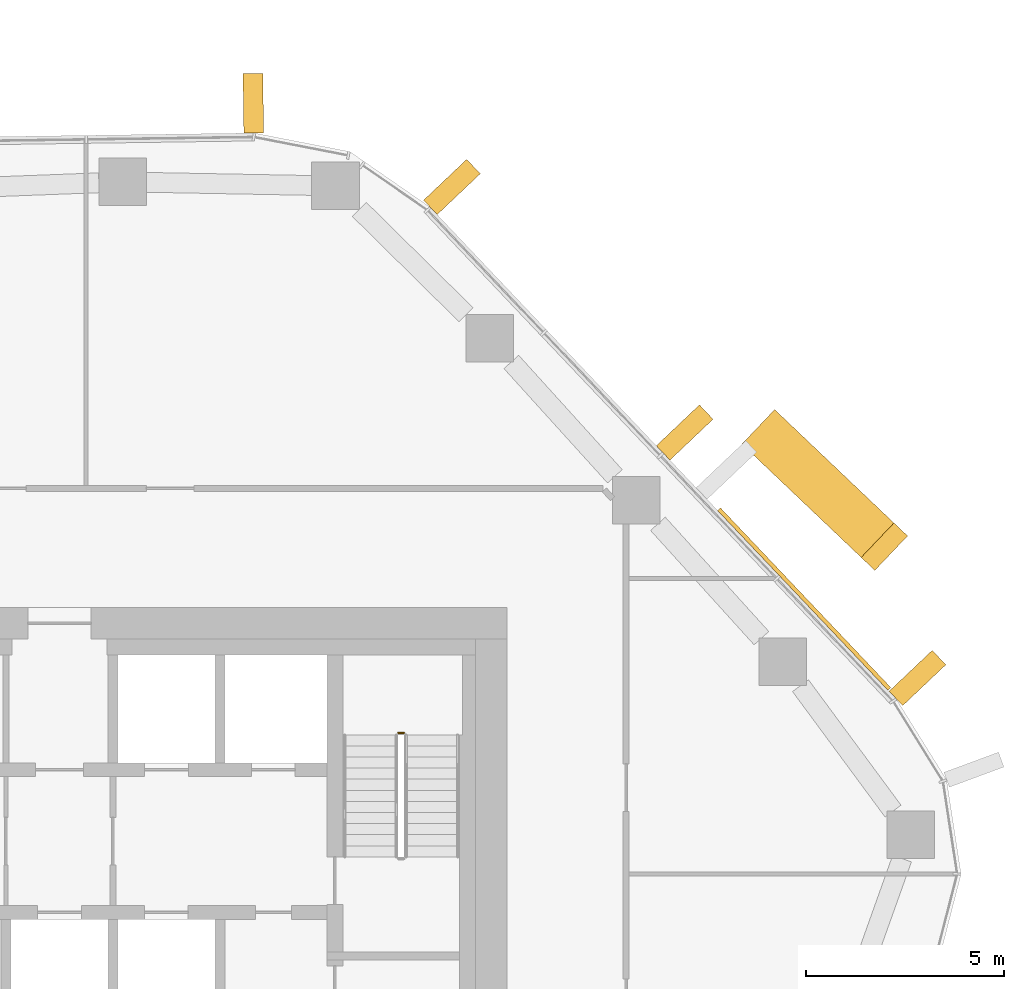
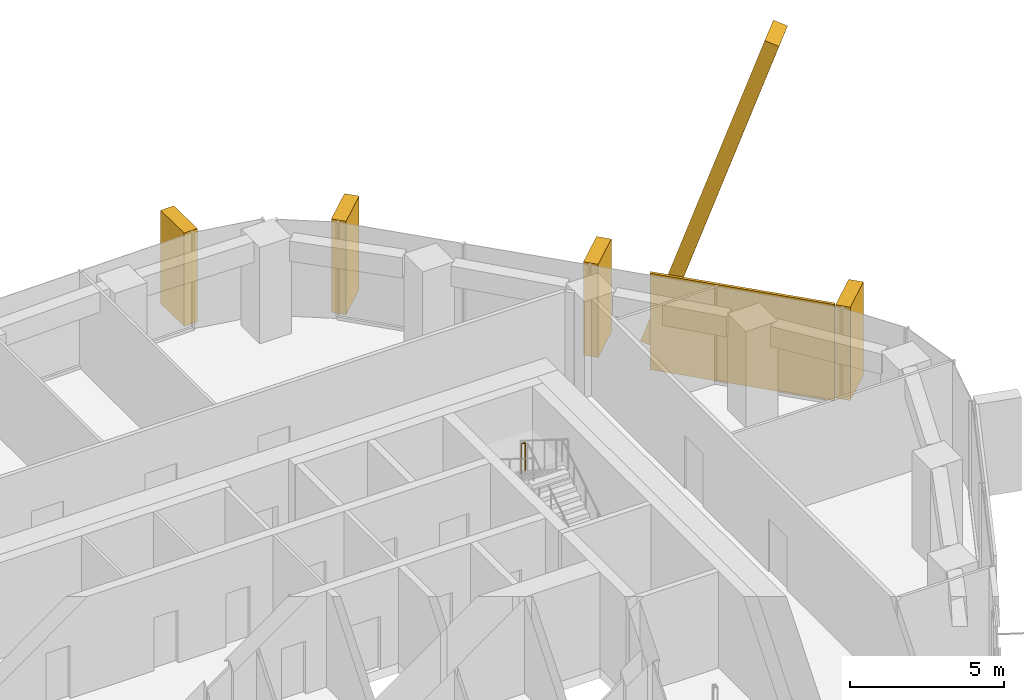
# One storey, part 18 of 18: 6 coverings, 1 railing, 2 elements without a shape of their own.
"""IFC4 building model written with IfcOpenShell, lengths in metres."""

import ifcopenshell
import ifcopenshell.guid

model = None  # the IFC model being written
_history = None  # IfcOwnerHistory: only IFC2X3 demands one
_inside = {}  # id of a spatial element -> (the spatial element, [elements in it])
_under = {}  # id of a project, library or spatial element -> (it, [spatial elements below it])
_declared = {}  # id of a project -> (the project, [libraries it declares])
_typed = {}  # id of a type object -> (the type object, [elements of that type])
_made_of = {}  # id of a material, layer set ... -> (it, [elements and type objects made of it])


def new_model(schema):
    """Start an empty IFC model of exactly this schema.

    Asked for "IFC4X3", IfcOpenShell would pick the latest addendum, in which some entities
    have other attributes; the version numbers below select the first issue.
    IFC2X3 requires an IfcOwnerHistory on every rooted entity: one is made here for all.
    """
    global model, _history
    if schema == "IFC4X3":
        model = ifcopenshell.file(schema_version=(4, 3, 0, 0))
    else:
        model = ifcopenshell.file(schema=schema)
    _inside.clear()
    _under.clear()
    _declared.clear()
    _typed.clear()
    _made_of.clear()
    _history = None
    if model.schema == "IFC2X3":
        org = make("IfcOrganization", Name="unknown")
        user = make(
            "IfcPersonAndOrganization",
            ThePerson=make("IfcPerson", FamilyName="unknown"),
            TheOrganization=org,
        )
        app = make(
            "IfcApplication",
            ApplicationDeveloper=org,
            Version="unknown",
            ApplicationFullName="unknown",
            ApplicationIdentifier="unknown",
        )
        _history = make(
            "IfcOwnerHistory",
            OwningUser=user,
            OwningApplication=app,
            ChangeAction="ADDED",
            CreationDate=0,
        )
    return model


def make(cls, **values):
    """One entity of the class cls with the attributes given. An attribute that is None is left unset."""
    return model.create_entity(
        cls, **{name: value for name, value in values.items() if value is not None}
    )


def rooted(cls, **values):
    """An entity with a GlobalId (a new one), such as an element, a storey or a relation."""
    return make(cls, GlobalId=ifcopenshell.guid.new(), OwnerHistory=_history, **values)


def si_unit(unit_type, name, prefix=None):
    """IfcSIUnit, for example si_unit("LENGTHUNIT", "METRE", prefix="MILLI")."""
    return make("IfcSIUnit", UnitType=unit_type, Prefix=prefix, Name=name)


def assignment(units):
    """IfcUnitAssignment: the units of a project."""
    return None if units is None else make("IfcUnitAssignment", Units=units)


def point(xyz):
    """IfcCartesianPoint."""
    return None if xyz is None else make("IfcCartesianPoint", Coordinates=xyz)


def direction(xyz):
    """IfcDirection."""
    return None if xyz is None else make("IfcDirection", DirectionRatios=xyz)


def frame(location, z_axis=None, x_axis=None):
    """IfcAxis2Placement3D, a coordinate frame: its origin and axes. An axis left out is left unset."""
    return make(
        "IfcAxis2Placement3D",
        Location=point(location),
        Axis=direction(z_axis),
        RefDirection=direction(x_axis),
    )


def frame_2d(location, x_axis=None):
    """IfcAxis2Placement2D, a coordinate frame in the plane: its origin and x axis."""
    return make(
        "IfcAxis2Placement2D", Location=point(location), RefDirection=direction(x_axis)
    )


def origin():
    """The frame at (0, 0, 0) with its axes left unset."""
    return frame((0.0, 0.0, 0.0))


def origin_2d():
    """The frame at (0, 0) in the plane with its x axis left unset."""
    return frame_2d((0.0, 0.0))


def place(relative_to, where):
    """IfcLocalPlacement: puts the frame where relative to a parent placement (None: the world)."""
    return make(
        "IfcLocalPlacement", PlacementRelTo=relative_to, RelativePlacement=where
    )


def context(
    kind, dimensions, precision=None, world=None, true_north=None, identifier=None
):
    """IfcGeometricRepresentationContext, for example the 3D "Model" context."""
    return make(
        "IfcGeometricRepresentationContext",
        ContextIdentifier=identifier,
        ContextType=kind,
        CoordinateSpaceDimension=dimensions,
        Precision=precision,
        WorldCoordinateSystem=world,
        TrueNorth=true_north,
    )


def subcontext(parent, identifier, kind, view, scale=None):
    """IfcGeometricRepresentationSubContext, for example "Body" below "Model"."""
    return make(
        "IfcGeometricRepresentationSubContext",
        ContextIdentifier=identifier,
        ContextType=kind,
        ParentContext=parent,
        TargetScale=scale,
        TargetView=view,
    )


def project(units=None, contexts=None):
    """IfcProject with its units and contexts."""
    return rooted(
        "IfcProject",
        Name="project",
        RepresentationContexts=contexts,
        UnitsInContext=assignment(units),
    )


def spatial(cls, under=None, at=None, **own):
    """A site, building, storey or space (cls), placed at a placement, below another one or the project."""
    s = rooted(cls, ObjectPlacement=at, **own)
    if under is not None:
        _under.setdefault(under.id(), (under, []))[1].append(s)
    return s


def profile(cls, at=None, kind="AREA", **sizes):
    """A parametric profile (cls). Its sizes go by their IFC names, for example OverallWidth=200.0."""
    return make(cls, ProfileType=kind, Position=at, **sizes)


def rectangle(**sizes):
    """IfcRectangleProfileDef."""
    return profile("IfcRectangleProfileDef", **sizes)


def circle(**sizes):
    """IfcCircleProfileDef."""
    return profile("IfcCircleProfileDef", **sizes)


def extrude(swept, where, along, depth):
    """IfcExtrudedAreaSolid: the profile swept, set in the frame where, extruded along a direction by depth."""
    return make(
        "IfcExtrudedAreaSolid",
        SweptArea=swept,
        Position=where,
        ExtrudedDirection=direction(along),
        Depth=depth,
    )


def shape(context_of_items, identifier, shape_type, items):
    """IfcShapeRepresentation: the items that make up one representation, for example the "Body"."""
    return make(
        "IfcShapeRepresentation",
        ContextOfItems=context_of_items,
        RepresentationIdentifier=identifier,
        RepresentationType=shape_type,
        Items=items,
    )


def material(Name=None, Category=None):
    """IfcMaterial."""
    return make("IfcMaterial", Name=Name, Category=Category)


def layer(
    of_material, thickness, ventilated=None, Name=None, Category=None, Priority=None
):
    """IfcMaterialLayer: one layer of a wall or slab, of a material (None: an air gap)."""
    return make(
        "IfcMaterialLayer",
        Material=of_material,
        LayerThickness=thickness,
        IsVentilated=ventilated,
        Name=Name,
        Category=Category,
        Priority=Priority,
    )


def layer_set(layers, Name=None):
    """IfcMaterialLayerSet."""
    return make("IfcMaterialLayerSet", MaterialLayers=layers, LayerSetName=Name)


def material_profile(
    of_material, cross_section, Name=None, Category=None, Priority=None
):
    """IfcMaterialProfile: a cross section and its material."""
    return make(
        "IfcMaterialProfile",
        Name=Name,
        Material=of_material,
        Profile=cross_section,
        Priority=Priority,
        Category=Category,
    )


def profile_set(profiles, Name=None, composite=None):
    """IfcMaterialProfileSet."""
    return make(
        "IfcMaterialProfileSet",
        Name=Name,
        MaterialProfiles=profiles,
        CompositeProfile=composite,
    )


def made_of(thing, what):
    """Note that an element or type object is made of a material, layer set ...; save() writes the relation."""
    if what is not None:
        _made_of.setdefault(what.id(), (what, []))[1].append(thing)
    return thing


def type_object(cls, material=None, **own):
    """A type object (cls), such as IfcWallType, which elements share."""
    return made_of(rooted(cls, **own), material)


def element(
    cls,
    number,
    at=None,
    inside=None,
    cuts=None,
    type_object=None,
    material=None,
    context=None,
    identifier="Body",
    shape_type=None,
    held_by="IfcProductDefinitionShape",
    body=None,
    shapes=None,
    **own,
):
    """One element of the class cls, such as IfcWall. Its Tag is "e" and its number.

    at: its placement. inside: the storey or other place that contains it. cuts: it is an
    opening in that element (IfcRelVoidsElement). A single representation is given by context,
    identifier, shape_type and body (its items); several are given by shapes. held_by: the class
    of the entity that holds the representations. save() writes the other relations.
    """
    e = rooted(cls, Tag="e%d" % number, ObjectPlacement=at, **own)
    if body is not None:
        shapes = [shape(context, identifier, shape_type, body)]
    if shapes is not None:
        e.Representation = make(held_by, Representations=shapes)
    if inside is not None:
        _inside.setdefault(inside.id(), (inside, []))[1].append(e)
    if cuts is not None:
        rooted(
            "IfcRelVoidsElement", RelatingBuildingElement=cuts, RelatedOpeningElement=e
        )
    if type_object is not None:
        _typed.setdefault(type_object.id(), (type_object, []))[1].append(e)
    return made_of(e, material)


def aggregate(whole, parts):
    """IfcRelAggregates: a whole, such as a stair, and the parts it consists of."""
    return rooted("IfcRelAggregates", RelatingObject=whole, RelatedObjects=parts)


def save(model, path):
    """Write the relations noted so far, then the file.

    IfcRelAggregates (storeys below a building ...), IfcRelContainedInSpatialStructure (elements
    in a storey), IfcRelDefinesByType, IfcRelAssociatesMaterial and IfcRelDeclares: one each for
    every whole, place, type object, material and project.
    """
    for whole, parts in _under.values():
        aggregate(whole, parts)
    for where, things in _inside.values():
        rooted(
            "IfcRelContainedInSpatialStructure",
            RelatedElements=things,
            RelatingStructure=where,
        )
    for kind, things in _typed.values():
        rooted("IfcRelDefinesByType", RelatedObjects=things, RelatingType=kind)
    for what, things in _made_of.values():
        rooted("IfcRelAssociatesMaterial", RelatedObjects=things, RelatingMaterial=what)
    for by, libraries in _declared.values():
        rooted("IfcRelDeclares", RelatingContext=by, RelatedDefinitions=libraries)
    model.write(path)


model = new_model("IFC4")

# Units and contexts
model_context = context("Model", 3, precision=1e-05, world=origin(), true_north=direction((0.0, 1.0)))
body_context = subcontext(model_context, "Body", "Model", "MODEL_VIEW")
ifc_project = project(units=[si_unit("LENGTHUNIT", "METRE"), si_unit("AREAUNIT", "SQUARE_METRE"), si_unit("VOLUMEUNIT", "CUBIC_METRE"), si_unit("PLANEANGLEUNIT", "RADIAN"), si_unit("MASSUNIT", "GRAM", prefix="KILO")], contexts=[model_context])

# Site, building, storey
site_placement = place(None, origin())
site = spatial("IfcSite", under=ifc_project, at=site_placement, CompositionType="ELEMENT")
building_placement = place(site_placement, origin())
building = spatial("IfcBuilding", under=site, at=building_placement, Name="Dongbaek Canopy Tower", CompositionType="ELEMENT")
storey_placement = place(building_placement, frame((0.0, 0.0, 167.0)))
storey = spatial("IfcBuildingStorey", under=building, at=storey_placement, Name="L36", CompositionType="ELEMENT", Elevation=167.0)

# Curtain wall, coverings
ifc_material_1 = material(Name="Aluminium 6063-T6 pale anodised", Category="aluminium")
ifc_layer_1 = layer(ifc_material_1, 0.199951171875)
ifc_layer_set_1 = layer_set([ifc_layer_1], Name="CW-1 unitised tower curtain wall")
curtain_wall_type = type_object("IfcCurtainWallType", Name="CW-1 unitised tower curtain wall", PredefinedType="NOTDEFINED", material=ifc_layer_set_1)
curtain_wall_1_placement = place(storey_placement, origin())
curtain_wall_1 = element("IfcCurtainWall", 1, at=curtain_wall_1_placement, inside=storey, type_object=curtain_wall_type, Name="CW-1 curtain wall F0.1", PredefinedType="NOTDEFINED")
ifc_material_2 = material(Name="Aluminium 6063-T6 pale metal fin", Category="aluminium")
ifc_material_profile_1 = material_profile(ifc_material_2, rectangle(XDim=1.199951171875, YDim=0.5, at=origin_2d()), Name="Crease fin CF1 500 x 1200 pale metal")
ifc_profile_set_1 = profile_set([ifc_material_profile_1], Name="Aluminium 6063-T6 pale metal fin")
covering_type_1 = type_object("IfcCoveringType", Name="Crease fin CF1 500 x 1200 pale metal", PredefinedType="CLADDING", material=ifc_profile_set_1)
covering_1_placement = place(storey_placement, frame((20.509033203125, 15.39111328125, -0.18994140625), z_axis=(0.226918768649, -0.215711767586, 0.949724331456), x_axis=(0.688982680147, 0.724777804888, 0.0)))
covering_1 = element("IfcCovering", 2, at=covering_1_placement, type_object=covering_type_1, Name="Crease fin L36 L39 F0", PredefinedType="CLADDING", context=body_context, shape_type="SweptSolid", body=[
    extrude(rectangle(XDim=1.199951171875, YDim=0.5, at=origin_2d()), origin(), (0.0, 0.0, 1.0), 13.266845703125),
])
ifc_material_3 = material(Name="Perforated aluminium 6063-T6 pale metal screen", Category="aluminium")
ifc_layer_2 = layer(ifc_material_3, 0.10009765625)
ifc_layer_set_2 = layer_set([ifc_layer_2], Name="Facet screen FS1 100 pale metal")
covering_type_2 = type_object("IfcCoveringType", Name="Facet screen FS1 100 pale metal", PredefinedType="CLADDING", material=ifc_layer_set_2)
covering_2_placement = place(storey_placement, frame((21.494140625, 11.20849609375, 0.0), z_axis=(0.0, 0.0, 1.0), x_axis=(-0.688043072048, 0.725669849867, 0.0)))
covering_2 = element("IfcCovering", 3, at=covering_2_placement, type_object=covering_type_2, Name="Facet screen L36 F0", PredefinedType="CLADDING", context=body_context, shape_type="SweptSolid", body=[
    extrude(rectangle(XDim=6.250244140625, YDim=0.10009765625, at=origin_2d()), origin(), (0.0, 0.0, 1.0), 3.820068359375),
])
ifc_material_4 = material(Name="Aluminium 6063-T6 pale metal fin", Category="aluminium")
ifc_material_profile_2 = material_profile(ifc_material_4, rectangle(XDim=1.5, YDim=0.5, at=origin_2d()), Name="Fin FN1 500 x 1500 pale metal")
ifc_profile_set_2 = profile_set([ifc_material_profile_2], Name="Aluminium 6063-T6 pale metal fin")
covering_type_3 = type_object("IfcCoveringType", Name="Fin FN1 500 x 1500 pale metal", PredefinedType="CLADDING", material=ifc_profile_set_2)
covering_3_placement = place(storey_placement, frame((24.354736328125, 9.21484375, 0.1201171875), z_axis=(0.0, 0.0, 1.0), x_axis=(0.725670208769, 0.688042693519, 0.0)))
covering_3 = element("IfcCovering", 4, at=covering_3_placement, type_object=covering_type_3, Name="Fin F0.1.1", PredefinedType="CLADDING", context=body_context, shape_type="SweptSolid", body=[
    extrude(rectangle(XDim=1.5, YDim=0.5, at=origin_2d()), origin(), (0.0, 0.0, 1.0), 3.699951171875),
])
covering_4_placement = place(storey_placement, frame((18.479736328125, 15.4111328125, 0.1201171875), z_axis=(0.0, 0.0, 1.0), x_axis=(0.725670208769, 0.688042693519, 0.0)))
covering_4 = element("IfcCovering", 5, at=covering_4_placement, type_object=covering_type_3, Name="Fin F0.1.3", PredefinedType="CLADDING", context=body_context, shape_type="SweptSolid", body=[
    extrude(rectangle(XDim=1.5, YDim=0.5, at=origin_2d()), origin(), (0.0, 0.0, 1.0), 3.699951171875),
])
covering_5_placement = place(storey_placement, frame((12.604736328125, 21.607421875, 0.1201171875), z_axis=(0.0, 0.0, 1.0), x_axis=(0.725670208769, 0.688042693519, 0.0)))
covering_5 = element("IfcCovering", 6, at=covering_5_placement, type_object=covering_type_3, Name="Fin F0.1.5", PredefinedType="CLADDING", context=body_context, shape_type="SweptSolid", body=[
    extrude(rectangle(XDim=1.5, YDim=0.5, at=origin_2d()), origin(), (0.0, 0.0, 1.0), 3.699951171875),
])
aggregate(curtain_wall_1, [covering_3, covering_4, covering_5, covering_1, covering_2])

# Curtain wall, covering
curtain_wall_2_placement = place(storey_placement, origin())
curtain_wall_2 = element("IfcCurtainWall", 7, at=curtain_wall_2_placement, inside=storey, type_object=curtain_wall_type, Name="CW-1 curtain wall F1.1", PredefinedType="NOTDEFINED")
covering_6_placement = place(storey_placement, frame((7.592529296875, 23.719970703125, 0.1201171875), z_axis=(0.0, 0.0, 1.0), x_axis=(-0.014277328293, 0.999898073754, 0.0)))
covering_6 = element("IfcCovering", 8, at=covering_6_placement, type_object=covering_type_3, Name="Fin F1.1.1", PredefinedType="CLADDING", context=body_context, shape_type="SweptSolid", body=[
    extrude(rectangle(XDim=1.5, YDim=0.5, at=origin_2d()), origin(), (0.0, 0.0, 1.0), 3.699951171875),
])
aggregate(curtain_wall_2, [covering_6])

# Railing
ifc_material_5 = material(Name="Stainless steel tube and balusters", Category="steel")
railing_type = type_object("IfcRailingType", Name="Stair guard 1200", PredefinedType="GUARDRAIL", material=ifc_material_5)
railing_placement = place(storey_placement, frame((11.39990234375, 7.830078125, 2.10009765625)))
element("IfcRailing", 9, at=railing_placement, inside=storey, type_object=railing_type, Name="L36 ST-A stair guard 2", PredefinedType="GUARDRAIL", context=body_context, shape_type="SweptSolid", body=[
    extrude(circle(Radius=0.02392578125, at=origin_2d()), frame((0.0, 0.0, 1.17578125), z_axis=(-1.0, 0.0, 0.0), x_axis=(0.0, -1.0, 0.0)), (0.0, 0.0, 1.0), 0.14990234375),
    extrude(circle(Radius=0.02099609375, at=origin_2d()), origin(), (0.0, 0.0, 1.0), 1.15185546875),
    extrude(circle(Radius=0.02099609375, at=origin_2d()), frame((-0.14990234375, 0.0, 0.0)), (0.0, 0.0, 1.0), 1.15185546875),
])

save(model, "model.ifc")
